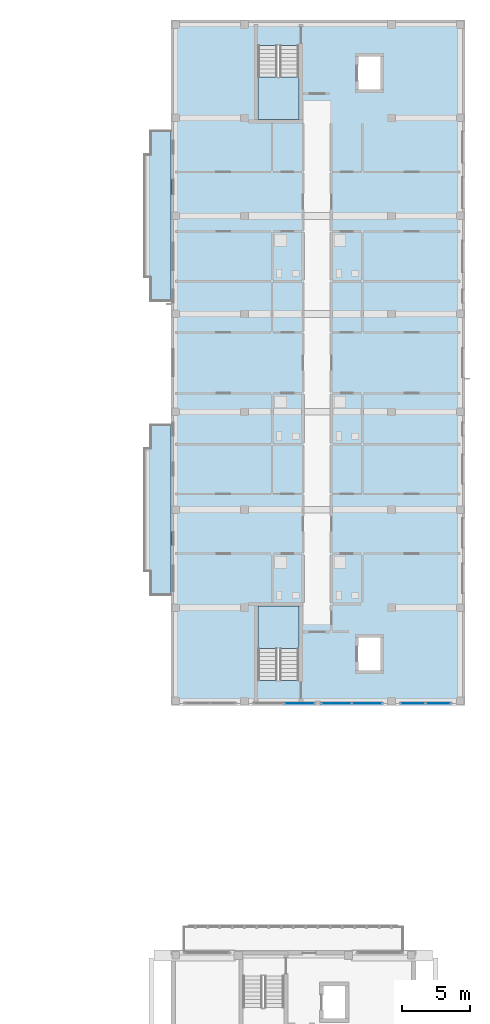
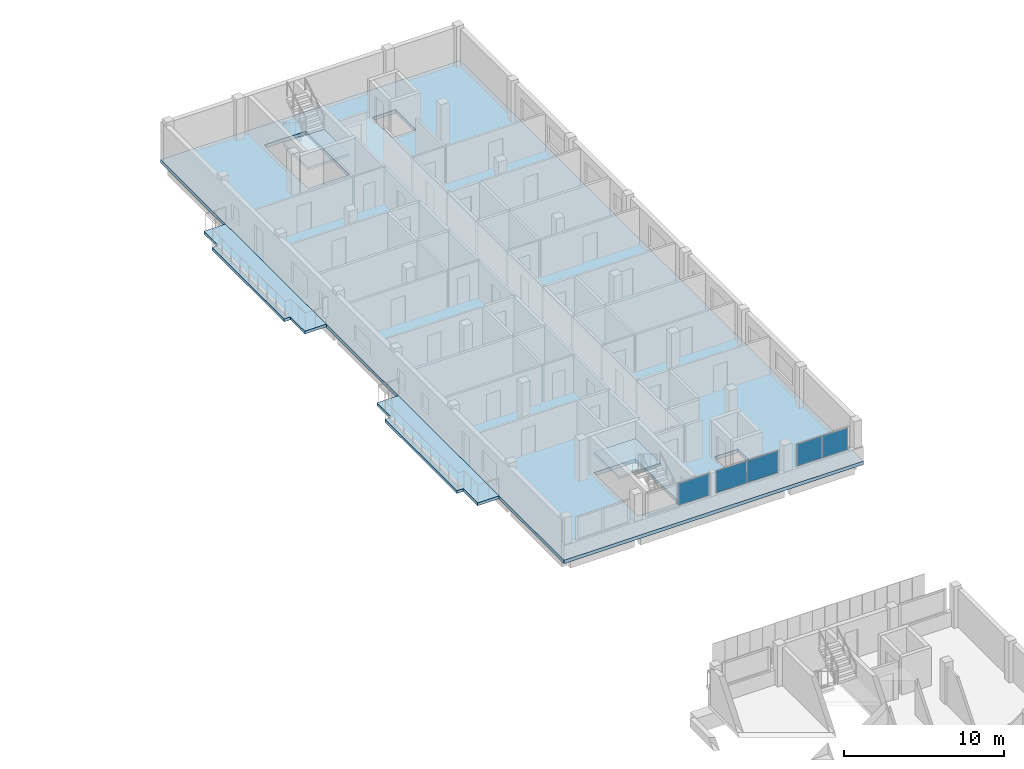
# One storey, part 12 of 41: 5 plates, 5 slabs, 5 elements without a shape of their own.
"""IFC4 building model written with IfcOpenShell, lengths in metres."""

import ifcopenshell
import ifcopenshell.guid

model = None  # the IFC model being written
_history = None  # IfcOwnerHistory: only IFC2X3 demands one
_inside = {}  # id of a spatial element -> (the spatial element, [elements in it])
_under = {}  # id of a project, library or spatial element -> (it, [spatial elements below it])
_declared = {}  # id of a project -> (the project, [libraries it declares])
_typed = {}  # id of a type object -> (the type object, [elements of that type])
_made_of = {}  # id of a material, layer set ... -> (it, [elements and type objects made of it])


def new_model(schema):
    """Start an empty IFC model of exactly this schema.

    Asked for "IFC4X3", IfcOpenShell would pick the latest addendum, in which some entities
    have other attributes; the version numbers below select the first issue.
    IFC2X3 requires an IfcOwnerHistory on every rooted entity: one is made here for all.
    """
    global model, _history
    if schema == "IFC4X3":
        model = ifcopenshell.file(schema_version=(4, 3, 0, 0))
    else:
        model = ifcopenshell.file(schema=schema)
    _inside.clear()
    _under.clear()
    _declared.clear()
    _typed.clear()
    _made_of.clear()
    _history = None
    if model.schema == "IFC2X3":
        org = make("IfcOrganization", Name="unknown")
        user = make(
            "IfcPersonAndOrganization",
            ThePerson=make("IfcPerson", FamilyName="unknown"),
            TheOrganization=org,
        )
        app = make(
            "IfcApplication",
            ApplicationDeveloper=org,
            Version="unknown",
            ApplicationFullName="unknown",
            ApplicationIdentifier="unknown",
        )
        _history = make(
            "IfcOwnerHistory",
            OwningUser=user,
            OwningApplication=app,
            ChangeAction="ADDED",
            CreationDate=0,
        )
    return model


def make(cls, **values):
    """One entity of the class cls with the attributes given. An attribute that is None is left unset."""
    return model.create_entity(
        cls, **{name: value for name, value in values.items() if value is not None}
    )


def rooted(cls, **values):
    """An entity with a GlobalId (a new one), such as an element, a storey or a relation."""
    return make(cls, GlobalId=ifcopenshell.guid.new(), OwnerHistory=_history, **values)


def si_unit(unit_type, name, prefix=None):
    """IfcSIUnit, for example si_unit("LENGTHUNIT", "METRE", prefix="MILLI")."""
    return make("IfcSIUnit", UnitType=unit_type, Prefix=prefix, Name=name)


def derived_unit(unit_type, elements):
    """IfcDerivedUnit: a product of units, each with its exponent."""
    return make(
        "IfcDerivedUnit",
        Elements=[
            make("IfcDerivedUnitElement", Unit=unit, Exponent=power)
            for unit, power in elements
        ],
        UnitType=unit_type,
    )


def assignment(units):
    """IfcUnitAssignment: the units of a project."""
    return None if units is None else make("IfcUnitAssignment", Units=units)


def point(xyz):
    """IfcCartesianPoint."""
    return None if xyz is None else make("IfcCartesianPoint", Coordinates=xyz)


def direction(xyz):
    """IfcDirection."""
    return None if xyz is None else make("IfcDirection", DirectionRatios=xyz)


def frame(location, z_axis=None, x_axis=None):
    """IfcAxis2Placement3D, a coordinate frame: its origin and axes. An axis left out is left unset."""
    return make(
        "IfcAxis2Placement3D",
        Location=point(location),
        Axis=direction(z_axis),
        RefDirection=direction(x_axis),
    )


def frame_2d(location, x_axis=None):
    """IfcAxis2Placement2D, a coordinate frame in the plane: its origin and x axis."""
    return make(
        "IfcAxis2Placement2D", Location=point(location), RefDirection=direction(x_axis)
    )


def origin():
    """The frame at (0, 0, 0) with its axes left unset."""
    return frame((0.0, 0.0, 0.0))


def origin_2d():
    """The frame at (0, 0) in the plane with its x axis left unset."""
    return frame_2d((0.0, 0.0))


def place(relative_to, where):
    """IfcLocalPlacement: puts the frame where relative to a parent placement (None: the world)."""
    return make(
        "IfcLocalPlacement", PlacementRelTo=relative_to, RelativePlacement=where
    )


def context(
    kind, dimensions, precision=None, world=None, true_north=None, identifier=None
):
    """IfcGeometricRepresentationContext, for example the 3D "Model" context."""
    return make(
        "IfcGeometricRepresentationContext",
        ContextIdentifier=identifier,
        ContextType=kind,
        CoordinateSpaceDimension=dimensions,
        Precision=precision,
        WorldCoordinateSystem=world,
        TrueNorth=true_north,
    )


def subcontext(parent, identifier, kind, view, scale=None):
    """IfcGeometricRepresentationSubContext, for example "Body" below "Model"."""
    return make(
        "IfcGeometricRepresentationSubContext",
        ContextIdentifier=identifier,
        ContextType=kind,
        ParentContext=parent,
        TargetScale=scale,
        TargetView=view,
    )


def project(units=None, contexts=None):
    """IfcProject with its units and contexts."""
    return rooted(
        "IfcProject",
        Name="project",
        RepresentationContexts=contexts,
        UnitsInContext=assignment(units),
    )


def spatial(cls, under=None, at=None, **own):
    """A site, building, storey or space (cls), placed at a placement, below another one or the project."""
    s = rooted(cls, ObjectPlacement=at, **own)
    if under is not None:
        _under.setdefault(under.id(), (under, []))[1].append(s)
    return s


def polyline(points):
    """IfcPolyline through the points."""
    return make("IfcPolyline", Points=[point(p) for p in points])


def profile(cls, at=None, kind="AREA", **sizes):
    """A parametric profile (cls). Its sizes go by their IFC names, for example OverallWidth=200.0."""
    return make(cls, ProfileType=kind, Position=at, **sizes)


def rectangle(**sizes):
    """IfcRectangleProfileDef."""
    return profile("IfcRectangleProfileDef", **sizes)


def outline(outer, holes=None, kind="AREA"):
    """IfcArbitraryClosedProfileDef: a profile drawn as a closed curve; with holes, ...WithVoids."""
    if holes is None:
        return make("IfcArbitraryClosedProfileDef", ProfileType=kind, OuterCurve=outer)
    return make(
        "IfcArbitraryProfileDefWithVoids",
        ProfileType=kind,
        OuterCurve=outer,
        InnerCurves=holes,
    )


def extrude(swept, where, along, depth):
    """IfcExtrudedAreaSolid: the profile swept, set in the frame where, extruded along a direction by depth."""
    return make(
        "IfcExtrudedAreaSolid",
        SweptArea=swept,
        Position=where,
        ExtrudedDirection=direction(along),
        Depth=depth,
    )


def shape(context_of_items, identifier, shape_type, items):
    """IfcShapeRepresentation: the items that make up one representation, for example the "Body"."""
    return make(
        "IfcShapeRepresentation",
        ContextOfItems=context_of_items,
        RepresentationIdentifier=identifier,
        RepresentationType=shape_type,
        Items=items,
    )


def material(Name=None, Category=None):
    """IfcMaterial."""
    return make("IfcMaterial", Name=Name, Category=Category)


def layer(
    of_material, thickness, ventilated=None, Name=None, Category=None, Priority=None
):
    """IfcMaterialLayer: one layer of a wall or slab, of a material (None: an air gap)."""
    return make(
        "IfcMaterialLayer",
        Material=of_material,
        LayerThickness=thickness,
        IsVentilated=ventilated,
        Name=Name,
        Category=Category,
        Priority=Priority,
    )


def layer_set(layers, Name=None):
    """IfcMaterialLayerSet."""
    return make("IfcMaterialLayerSet", MaterialLayers=layers, LayerSetName=Name)


def made_of(thing, what):
    """Note that an element or type object is made of a material, layer set ...; save() writes the relation."""
    if what is not None:
        _made_of.setdefault(what.id(), (what, []))[1].append(thing)
    return thing


def type_object(cls, material=None, **own):
    """A type object (cls), such as IfcWallType, which elements share."""
    return made_of(rooted(cls, **own), material)


def element(
    cls,
    number,
    at=None,
    inside=None,
    cuts=None,
    type_object=None,
    material=None,
    context=None,
    identifier="Body",
    shape_type=None,
    held_by="IfcProductDefinitionShape",
    body=None,
    shapes=None,
    **own,
):
    """One element of the class cls, such as IfcWall. Its Tag is "e" and its number.

    at: its placement. inside: the storey or other place that contains it. cuts: it is an
    opening in that element (IfcRelVoidsElement). A single representation is given by context,
    identifier, shape_type and body (its items); several are given by shapes. held_by: the class
    of the entity that holds the representations. save() writes the other relations.
    """
    e = rooted(cls, Tag="e%d" % number, ObjectPlacement=at, **own)
    if body is not None:
        shapes = [shape(context, identifier, shape_type, body)]
    if shapes is not None:
        e.Representation = make(held_by, Representations=shapes)
    if inside is not None:
        _inside.setdefault(inside.id(), (inside, []))[1].append(e)
    if cuts is not None:
        rooted(
            "IfcRelVoidsElement", RelatingBuildingElement=cuts, RelatedOpeningElement=e
        )
    if type_object is not None:
        _typed.setdefault(type_object.id(), (type_object, []))[1].append(e)
    return made_of(e, material)


def aggregate(whole, parts):
    """IfcRelAggregates: a whole, such as a stair, and the parts it consists of."""
    return rooted("IfcRelAggregates", RelatingObject=whole, RelatedObjects=parts)


def save(model, path):
    """Write the relations noted so far, then the file.

    IfcRelAggregates (storeys below a building ...), IfcRelContainedInSpatialStructure (elements
    in a storey), IfcRelDefinesByType, IfcRelAssociatesMaterial and IfcRelDeclares: one each for
    every whole, place, type object, material and project.
    """
    for whole, parts in _under.values():
        aggregate(whole, parts)
    for where, things in _inside.values():
        rooted(
            "IfcRelContainedInSpatialStructure",
            RelatedElements=things,
            RelatingStructure=where,
        )
    for kind, things in _typed.values():
        rooted("IfcRelDefinesByType", RelatedObjects=things, RelatingType=kind)
    for what, things in _made_of.values():
        rooted("IfcRelAssociatesMaterial", RelatedObjects=things, RelatingMaterial=what)
    for by, libraries in _declared.values():
        rooted("IfcRelDeclares", RelatingContext=by, RelatedDefinitions=libraries)
    model.write(path)


model = new_model("IFC4")

# Units and contexts
model_context = context("Model", 3, precision=1e-05, world=origin(), true_north=direction((0.0, 1.0)))
body_context = subcontext(model_context, "Body", "Model", "MODEL_VIEW")
ifc_project = project(units=[si_unit("LENGTHUNIT", "METRE"), si_unit("AREAUNIT", "SQUARE_METRE"), si_unit("VOLUMEUNIT", "CUBIC_METRE"), si_unit("PLANEANGLEUNIT", "RADIAN"), si_unit("MASSUNIT", "GRAM", prefix="KILO"), derived_unit("THERMALTRANSMITTANCEUNIT", [(si_unit("MASSUNIT", "GRAM", prefix="KILO"), 1), (si_unit("TIMEUNIT", "SECOND"), -3), (si_unit("THERMODYNAMICTEMPERATUREUNIT", "KELVIN"), -1)])], contexts=[model_context])

# Site, building, storey
site_placement = place(None, origin())
site = spatial("IfcSite", under=ifc_project, at=site_placement, CompositionType="ELEMENT")
building_placement = place(site_placement, origin())
building = spatial("IfcBuilding", under=site, at=building_placement, Name="Ochrekiln Boulevard Commons", CompositionType="ELEMENT")
storey_placement = place(building_placement, frame((0.0, 0.0, 21.52490234375)))
storey = spatial("IfcBuildingStorey", under=building, at=storey_placement, Name="L06", CompositionType="ELEMENT", Elevation=21.52490234375)

# Curtain wall, plate
ifc_material_1 = material(Name="Bronze-anodized extruded aluminium 6063-T6", Category="aluminium")
ifc_layer_1 = layer(ifc_material_1, 0.18408203125)
ifc_layer_set_1 = layer_set([ifc_layer_1], Name="Bronze-anodized extruded aluminium 6063-T6")
curtain_wall_type = type_object("IfcCurtainWallType", Name="CW-GABLE-B", PredefinedType="USERDEFINED", material=ifc_layer_set_1)
curtain_wall_1_placement = place(storey_placement, origin())
curtain_wall_1 = element("IfcCurtainWall", 1, at=curtain_wall_1_placement, inside=storey, type_object=curtain_wall_type, Name="Block B L06 Courtyard Glazed Gable Curtain Wall 2", ObjectType="GLAZED CURTAIN WALL", PredefinedType="USERDEFINED")
ifc_material_2 = material(Name="Spectrally selective low-E insulated glazing", Category="glass")
ifc_layer_2 = layer(ifc_material_2, 0.02392578125)
ifc_layer_set_2 = layer_set([ifc_layer_2], Name="Spectrally selective low-E insulated glazing")
plate_type_1 = type_object("IfcPlateType", Name="CWP-GLZ-1", PredefinedType="CURTAIN_PANEL", material=ifc_layer_set_2)
plate_1_placement = place(storey_placement, frame((160.638671875, 68.570068359375, 1.175048828125), z_axis=(0.0, 0.0, 1.0), x_axis=(1.0, 0.0, 0.0)))
plate_1 = element("IfcPlate", 2, at=plate_1_placement, type_object=plate_type_1, Name="CW-02 panel 2.1", PredefinedType="CURTAIN_PANEL", context=body_context, shape_type="SweptSolid", body=[
    extrude(rectangle(XDim=2.1923828125, YDim=0.02392578125, at=origin_2d()), origin(), (0.0, 0.0, 1.0), 1.64990234375),
])
aggregate(curtain_wall_1, [plate_1])

# Curtain wall, plates
curtain_wall_2_placement = place(storey_placement, origin())
curtain_wall_2 = element("IfcCurtainWall", 3, at=curtain_wall_2_placement, inside=storey, type_object=curtain_wall_type, Name="Block B L06 Courtyard Glazed Gable Curtain Wall 3", ObjectType="GLAZED CURTAIN WALL", PredefinedType="USERDEFINED")
ifc_layer_3 = layer(ifc_material_2, 0.030029296875)
ifc_layer_set_3 = layer_set([ifc_layer_3], Name="Spectrally selective low-E insulated glazing")
plate_type_2 = type_object("IfcPlateType", Name="CWP-GLZ-2", PredefinedType="CURTAIN_PANEL", material=ifc_layer_set_3)
plate_2_placement = place(storey_placement, frame((163.360107421875, 68.570068359375, 1.169921875), z_axis=(0.0, 0.0, 1.0), x_axis=(1.0, 0.0, 0.0)))
plate_2 = element("IfcPlate", 4, at=plate_2_placement, type_object=plate_type_2, Name="CW-02 panel 1.1", PredefinedType="CURTAIN_PANEL", context=body_context, shape_type="SweptSolid", body=[
    extrude(rectangle(XDim=2.199951171875, YDim=0.030029296875, at=origin_2d()), origin(), (0.0, 0.0, 1.0), 1.659912109375),
])
plate_3_placement = place(storey_placement, frame((165.6201171875, 68.570068359375, 1.169921875), z_axis=(0.0, 0.0, 1.0), x_axis=(1.0, 0.0, 0.0)))
plate_3 = element("IfcPlate", 5, at=plate_3_placement, type_object=plate_type_2, Name="CW-02 panel 2.1", PredefinedType="CURTAIN_PANEL", context=body_context, shape_type="SweptSolid", body=[
    extrude(rectangle(XDim=2.199951171875, YDim=0.030029296875, at=origin_2d()), origin(), (0.0, 0.0, 1.0), 1.659912109375),
])
aggregate(curtain_wall_2, [plate_2, plate_3])

curtain_wall_3_placement = place(storey_placement, origin())
curtain_wall_3 = element("IfcCurtainWall", 6, at=curtain_wall_3_placement, inside=storey, type_object=curtain_wall_type, Name="Block B L06 Courtyard Glazed Gable Curtain Wall 4", ObjectType="GLAZED CURTAIN WALL", PredefinedType="USERDEFINED")
ifc_layer_4 = layer(ifc_material_2, 0.035888671875)
ifc_layer_set_4 = layer_set([ifc_layer_4], Name="Spectrally selective low-E insulated glazing")
plate_type_3 = type_object("IfcPlateType", Name="CWP-GLZ-3", PredefinedType="CURTAIN_PANEL", material=ifc_layer_set_4)
plate_4_placement = place(storey_placement, frame((168.98876953125, 68.570068359375, 1.175048828125), z_axis=(0.0, 0.0, 1.0), x_axis=(1.0, 0.0, 0.0)))
plate_4 = element("IfcPlate", 7, at=plate_4_placement, type_object=plate_type_3, Name="CW-02 panel 1.1", PredefinedType="CURTAIN_PANEL", context=body_context, shape_type="SweptSolid", body=[
    extrude(rectangle(XDim=1.8076171875, YDim=0.035888671875, at=origin_2d()), origin(), (0.0, 0.0, 1.0), 1.64990234375),
])
plate_5_placement = place(storey_placement, frame((170.861328125, 68.570068359375, 1.175048828125), z_axis=(0.0, 0.0, 1.0), x_axis=(1.0, 0.0, 0.0)))
plate_5 = element("IfcPlate", 8, at=plate_5_placement, type_object=plate_type_3, Name="CW-02 panel 2.1", PredefinedType="CURTAIN_PANEL", context=body_context, shape_type="SweptSolid", body=[
    extrude(rectangle(XDim=1.8076171875, YDim=0.035888671875, at=origin_2d()), origin(), (0.0, 0.0, 1.0), 1.64990234375),
])
aggregate(curtain_wall_3, [plate_4, plate_5])

# Slabs
ifc_material_3 = material(Name="Concrete C35/45", Category="concrete")
ifc_layer_5 = layer(ifc_material_3, 0.219970703125)
ifc_layer_set_5 = layer_set([ifc_layer_5], Name="Concrete C35/45")
slab_type_1 = type_object("IfcSlabType", Name="SLB-BAL-220", PredefinedType="FLOOR", material=ifc_layer_set_5)
slab_1_placement = place(storey_placement, frame((0.0, 0.0, -0.219970703125)))
element("IfcSlab", 9, at=slab_1_placement, inside=storey, type_object=slab_type_1, Name="Block B L06 Planter-Box Balcony Slab 1", PredefinedType="FLOOR", context=body_context, shape_type="SweptSolid", body=[
    extrude(outline(polyline([(151.199951171875, 76.5), (151.199951171875, 89.10009765625), (149.64990234375, 89.10009765625), (149.64990234375, 87.300048828125), (149.199951171875, 87.300048828125), (149.199951171875, 78.300048828125), (149.64990234375, 78.300048828125), (149.64990234375, 76.5), (151.199951171875, 76.5)])), origin(), (0.0, 0.0, 1.0), 0.219970703125),
])
slab_2_placement = place(storey_placement, frame((0.0, 0.0, -0.219970703125)))
element("IfcSlab", 10, at=slab_2_placement, inside=storey, type_object=slab_type_1, Name="Block B L06 Planter-Box Balcony Slab 2", PredefinedType="FLOOR", context=body_context, shape_type="SweptSolid", body=[
    extrude(outline(polyline([(151.199951171875, 98.10009765625), (151.199951171875, 110.699951171875), (149.64990234375, 110.699951171875), (149.64990234375, 108.89990234375), (149.199951171875, 108.89990234375), (149.199951171875, 99.89990234375), (149.64990234375, 99.89990234375), (149.64990234375, 98.10009765625), (151.199951171875, 98.10009765625)])), origin(), (0.0, 0.0, 1.0), 0.219970703125),
])

# Stair, slab
stair_type = type_object("IfcStairType", Name="STR-DL-315", PredefinedType="TWO_STRAIGHT_RUN_STAIR", material=ifc_material_3)
stair_1_placement = place(storey_placement, origin())
stair_1 = element("IfcStair", 11, at=stair_1_placement, inside=storey, type_object=stair_type, Name="L06 Enclosed Exit Stair ST-B1", PredefinedType="TWO_STRAIGHT_RUN_STAIR")
ifc_layer_6 = layer(ifc_material_3, 0.199951171875)
ifc_layer_set_6 = layer_set([ifc_layer_6], Name="Concrete C35/45")
slab_type_2 = type_object("IfcSlabType", Name="SLB-LND-200", PredefinedType="LANDING", material=ifc_layer_set_6)
slab_3_placement = place(storey_placement, frame((0.0, 0.0, 1.375)))
slab_3 = element("IfcSlab", 12, at=slab_3_placement, type_object=slab_type_2, Name="ST-B1 landing 1", PredefinedType="LANDING", context=body_context, shape_type="SweptSolid", body=[
    extrude(outline(polyline([(160.60009765625, 72.590087890625), (160.60009765625, 75.719970703125), (157.60009765625, 75.719970703125), (157.60009765625, 72.590087890625), (160.60009765625, 72.590087890625)])), origin(), (0.0, 0.0, 1.0), 0.2001953125),
])
aggregate(stair_1, [slab_3])

stair_2_placement = place(storey_placement, origin())
stair_2 = element("IfcStair", 13, at=stair_2_placement, inside=storey, type_object=stair_type, Name="L06 Enclosed Exit Stair ST-B2", PredefinedType="TWO_STRAIGHT_RUN_STAIR")
slab_4_placement = place(storey_placement, frame((0.0, 0.0, 1.375)))
slab_4 = element("IfcSlab", 14, at=slab_4_placement, type_object=slab_type_2, Name="ST-B2 landing 1", PredefinedType="LANDING", context=body_context, shape_type="SweptSolid", body=[
    extrude(outline(polyline([(157.60009765625, 114.610107421875), (157.60009765625, 111.47998046875), (160.60009765625, 111.47998046875), (160.60009765625, 114.610107421875), (157.60009765625, 114.610107421875)])), origin(), (0.0, 0.0, 1.0), 0.2001953125),
])
aggregate(stair_2, [slab_4])

# Slab
ifc_layer_7 = layer(ifc_material_3, 0.260009765625)
ifc_layer_set_7 = layer_set([ifc_layer_7], Name="Concrete C35/45")
slab_type_3 = type_object("IfcSlabType", Name="SLB-RES-260", PredefinedType="FLOOR", material=ifc_layer_set_7)
slab_5_placement = place(storey_placement, frame((0.0, 0.0, -0.260009765625)))
element("IfcSlab", 15, at=slab_5_placement, inside=storey, type_object=slab_type_3, Name="Block B L06 Reinforced Concrete Floor Slab", PredefinedType="FLOOR", context=body_context, shape_type="SweptSolid", body=[
    extrude(outline(polyline([(151.199951171875, 68.39990234375), (172.800048828125, 68.39990234375), (172.800048828125, 118.800048828125), (151.199951171875, 118.800048828125), (151.199951171875, 68.39990234375)]), holes=[polyline([(160.60009765625, 70.2705078125), (160.60009765625, 75.719970703125), (157.60009765625, 75.719970703125), (157.60009765625, 70.2705078125), (160.60009765625, 70.2705078125)]), polyline([(157.60009765625, 116.929443359375), (157.60009765625, 111.47998046875), (160.60009765625, 111.47998046875), (160.60009765625, 116.929443359375), (157.60009765625, 116.929443359375)]), polyline([(164.949951171875, 70.949951171875), (166.64990234375, 70.949951171875), (166.64990234375, 73.449951171875), (164.949951171875, 73.449951171875), (164.949951171875, 70.949951171875)]), polyline([(164.949951171875, 113.64990234375), (166.64990234375, 113.64990234375), (166.64990234375, 116.14990234375), (164.949951171875, 116.14990234375), (164.949951171875, 113.64990234375)])]), origin(), (0.0, 0.0, 1.0), 0.260009765625),
])

save(model, "model.ifc")
